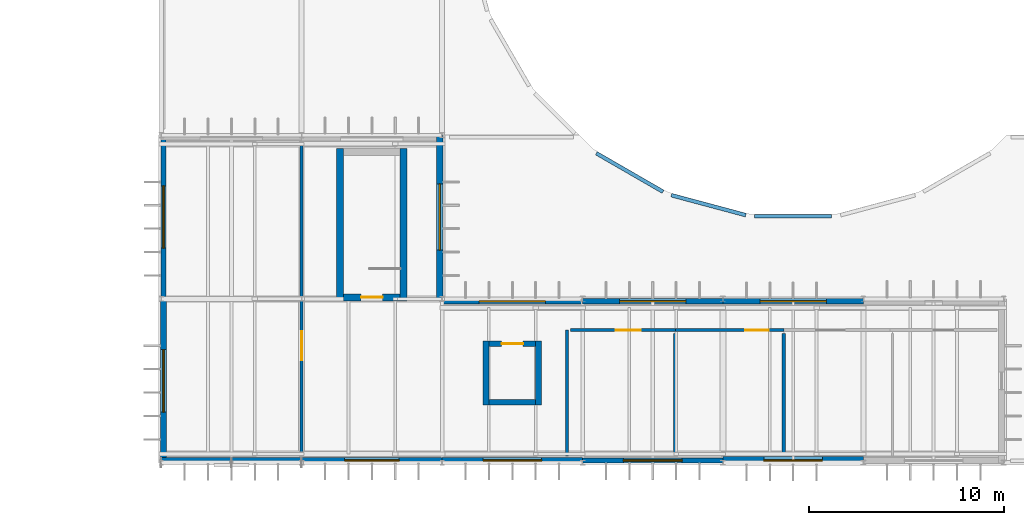
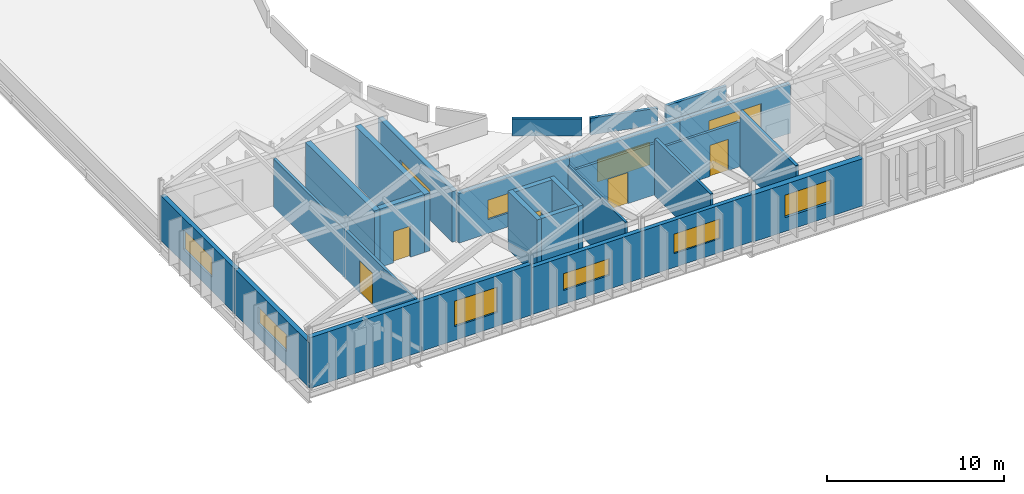
# One storey, part 39 of 52: 27 walls, 10 windows, 5 doors, 15 openings.
"""IFC4 building model written with IfcOpenShell, lengths in metres."""

import ifcopenshell
import ifcopenshell.guid

model = None  # the IFC model being written
_history = None  # IfcOwnerHistory: only IFC2X3 demands one
_inside = {}  # id of a spatial element -> (the spatial element, [elements in it])
_under = {}  # id of a project, library or spatial element -> (it, [spatial elements below it])
_declared = {}  # id of a project -> (the project, [libraries it declares])
_typed = {}  # id of a type object -> (the type object, [elements of that type])
_made_of = {}  # id of a material, layer set ... -> (it, [elements and type objects made of it])


def new_model(schema):
    """Start an empty IFC model of exactly this schema.

    Asked for "IFC4X3", IfcOpenShell would pick the latest addendum, in which some entities
    have other attributes; the version numbers below select the first issue.
    IFC2X3 requires an IfcOwnerHistory on every rooted entity: one is made here for all.
    """
    global model, _history
    if schema == "IFC4X3":
        model = ifcopenshell.file(schema_version=(4, 3, 0, 0))
    else:
        model = ifcopenshell.file(schema=schema)
    _inside.clear()
    _under.clear()
    _declared.clear()
    _typed.clear()
    _made_of.clear()
    _history = None
    if model.schema == "IFC2X3":
        org = make("IfcOrganization", Name="unknown")
        user = make(
            "IfcPersonAndOrganization",
            ThePerson=make("IfcPerson", FamilyName="unknown"),
            TheOrganization=org,
        )
        app = make(
            "IfcApplication",
            ApplicationDeveloper=org,
            Version="unknown",
            ApplicationFullName="unknown",
            ApplicationIdentifier="unknown",
        )
        _history = make(
            "IfcOwnerHistory",
            OwningUser=user,
            OwningApplication=app,
            ChangeAction="ADDED",
            CreationDate=0,
        )
    return model


def make(cls, **values):
    """One entity of the class cls with the attributes given. An attribute that is None is left unset."""
    return model.create_entity(
        cls, **{name: value for name, value in values.items() if value is not None}
    )


def rooted(cls, **values):
    """An entity with a GlobalId (a new one), such as an element, a storey or a relation."""
    return make(cls, GlobalId=ifcopenshell.guid.new(), OwnerHistory=_history, **values)


def si_unit(unit_type, name, prefix=None):
    """IfcSIUnit, for example si_unit("LENGTHUNIT", "METRE", prefix="MILLI")."""
    return make("IfcSIUnit", UnitType=unit_type, Prefix=prefix, Name=name)


def assignment(units):
    """IfcUnitAssignment: the units of a project."""
    return None if units is None else make("IfcUnitAssignment", Units=units)


def point(xyz):
    """IfcCartesianPoint."""
    return None if xyz is None else make("IfcCartesianPoint", Coordinates=xyz)


def direction(xyz):
    """IfcDirection."""
    return None if xyz is None else make("IfcDirection", DirectionRatios=xyz)


def frame(location, z_axis=None, x_axis=None):
    """IfcAxis2Placement3D, a coordinate frame: its origin and axes. An axis left out is left unset."""
    return make(
        "IfcAxis2Placement3D",
        Location=point(location),
        Axis=direction(z_axis),
        RefDirection=direction(x_axis),
    )


def frame_2d(location, x_axis=None):
    """IfcAxis2Placement2D, a coordinate frame in the plane: its origin and x axis."""
    return make(
        "IfcAxis2Placement2D", Location=point(location), RefDirection=direction(x_axis)
    )


def origin():
    """The frame at (0, 0, 0) with its axes left unset."""
    return frame((0.0, 0.0, 0.0))


def place(relative_to, where):
    """IfcLocalPlacement: puts the frame where relative to a parent placement (None: the world)."""
    return make(
        "IfcLocalPlacement", PlacementRelTo=relative_to, RelativePlacement=where
    )


def context(
    kind, dimensions, precision=None, world=None, true_north=None, identifier=None
):
    """IfcGeometricRepresentationContext, for example the 3D "Model" context."""
    return make(
        "IfcGeometricRepresentationContext",
        ContextIdentifier=identifier,
        ContextType=kind,
        CoordinateSpaceDimension=dimensions,
        Precision=precision,
        WorldCoordinateSystem=world,
        TrueNorth=true_north,
    )


def subcontext(parent, identifier, kind, view, scale=None):
    """IfcGeometricRepresentationSubContext, for example "Body" below "Model"."""
    return make(
        "IfcGeometricRepresentationSubContext",
        ContextIdentifier=identifier,
        ContextType=kind,
        ParentContext=parent,
        TargetScale=scale,
        TargetView=view,
    )


def project(units=None, contexts=None):
    """IfcProject with its units and contexts."""
    return rooted(
        "IfcProject",
        Name="project",
        RepresentationContexts=contexts,
        UnitsInContext=assignment(units),
    )


def spatial(cls, under=None, at=None, **own):
    """A site, building, storey or space (cls), placed at a placement, below another one or the project."""
    s = rooted(cls, ObjectPlacement=at, **own)
    if under is not None:
        _under.setdefault(under.id(), (under, []))[1].append(s)
    return s


def profile(cls, at=None, kind="AREA", **sizes):
    """A parametric profile (cls). Its sizes go by their IFC names, for example OverallWidth=200.0."""
    return make(cls, ProfileType=kind, Position=at, **sizes)


def rectangle(**sizes):
    """IfcRectangleProfileDef."""
    return profile("IfcRectangleProfileDef", **sizes)


def extrude(swept, where, along, depth):
    """IfcExtrudedAreaSolid: the profile swept, set in the frame where, extruded along a direction by depth."""
    return make(
        "IfcExtrudedAreaSolid",
        SweptArea=swept,
        Position=where,
        ExtrudedDirection=direction(along),
        Depth=depth,
    )


def shape(context_of_items, identifier, shape_type, items):
    """IfcShapeRepresentation: the items that make up one representation, for example the "Body"."""
    return make(
        "IfcShapeRepresentation",
        ContextOfItems=context_of_items,
        RepresentationIdentifier=identifier,
        RepresentationType=shape_type,
        Items=items,
    )


def material(Name=None, Category=None):
    """IfcMaterial."""
    return make("IfcMaterial", Name=Name, Category=Category)


def layer(
    of_material, thickness, ventilated=None, Name=None, Category=None, Priority=None
):
    """IfcMaterialLayer: one layer of a wall or slab, of a material (None: an air gap)."""
    return make(
        "IfcMaterialLayer",
        Material=of_material,
        LayerThickness=thickness,
        IsVentilated=ventilated,
        Name=Name,
        Category=Category,
        Priority=Priority,
    )


def layer_set(layers, Name=None):
    """IfcMaterialLayerSet."""
    return make("IfcMaterialLayerSet", MaterialLayers=layers, LayerSetName=Name)


def made_of(thing, what):
    """Note that an element or type object is made of a material, layer set ...; save() writes the relation."""
    if what is not None:
        _made_of.setdefault(what.id(), (what, []))[1].append(thing)
    return thing


def type_object(cls, material=None, **own):
    """A type object (cls), such as IfcWallType, which elements share."""
    return made_of(rooted(cls, **own), material)


def element(
    cls,
    number,
    at=None,
    inside=None,
    cuts=None,
    type_object=None,
    material=None,
    context=None,
    identifier="Body",
    shape_type=None,
    held_by="IfcProductDefinitionShape",
    body=None,
    shapes=None,
    **own,
):
    """One element of the class cls, such as IfcWall. Its Tag is "e" and its number.

    at: its placement. inside: the storey or other place that contains it. cuts: it is an
    opening in that element (IfcRelVoidsElement). A single representation is given by context,
    identifier, shape_type and body (its items); several are given by shapes. held_by: the class
    of the entity that holds the representations. save() writes the other relations.
    """
    e = rooted(cls, Tag="e%d" % number, ObjectPlacement=at, **own)
    if body is not None:
        shapes = [shape(context, identifier, shape_type, body)]
    if shapes is not None:
        e.Representation = make(held_by, Representations=shapes)
    if inside is not None:
        _inside.setdefault(inside.id(), (inside, []))[1].append(e)
    if cuts is not None:
        rooted(
            "IfcRelVoidsElement", RelatingBuildingElement=cuts, RelatedOpeningElement=e
        )
    if type_object is not None:
        _typed.setdefault(type_object.id(), (type_object, []))[1].append(e)
    return made_of(e, material)


def fill(opening, filler):
    """IfcRelFillsElement: the door or window that sits in an opening."""
    return rooted(
        "IfcRelFillsElement",
        RelatingOpeningElement=opening,
        RelatedBuildingElement=filler,
    )


def aggregate(whole, parts):
    """IfcRelAggregates: a whole, such as a stair, and the parts it consists of."""
    return rooted("IfcRelAggregates", RelatingObject=whole, RelatedObjects=parts)


def save(model, path):
    """Write the relations noted so far, then the file.

    IfcRelAggregates (storeys below a building ...), IfcRelContainedInSpatialStructure (elements
    in a storey), IfcRelDefinesByType, IfcRelAssociatesMaterial and IfcRelDeclares: one each for
    every whole, place, type object, material and project.
    """
    for whole, parts in _under.values():
        aggregate(whole, parts)
    for where, things in _inside.values():
        rooted(
            "IfcRelContainedInSpatialStructure",
            RelatedElements=things,
            RelatingStructure=where,
        )
    for kind, things in _typed.values():
        rooted("IfcRelDefinesByType", RelatedObjects=things, RelatingType=kind)
    for what, things in _made_of.values():
        rooted("IfcRelAssociatesMaterial", RelatedObjects=things, RelatingMaterial=what)
    for by, libraries in _declared.values():
        rooted("IfcRelDeclares", RelatingContext=by, RelatedDefinitions=libraries)
    model.write(path)


model = new_model("IFC4")

# Units and contexts
model_context = context("Model", 3, precision=1e-05, world=origin(), true_north=direction((0.0, 1.0)))
body_context = subcontext(model_context, "Body", "Model", "MODEL_VIEW")
ifc_project = project(units=[si_unit("LENGTHUNIT", "METRE"), si_unit("AREAUNIT", "SQUARE_METRE"), si_unit("VOLUMEUNIT", "CUBIC_METRE"), si_unit("PLANEANGLEUNIT", "RADIAN"), si_unit("MASSUNIT", "GRAM", prefix="KILO")], contexts=[model_context])

# Site, building, storey
site_placement = place(None, origin())
site = spatial("IfcSite", under=ifc_project, at=site_placement, CompositionType="ELEMENT")
building_placement = place(site_placement, origin())
building = spatial("IfcBuilding", under=site, at=building_placement, Name="Qelthora Terrace Specialist Clinic", CompositionType="ELEMENT")
storey_placement = place(building_placement, frame((0.0, 0.0, 17.39990234375)))
storey = spatial("IfcBuildingStorey", under=building, at=storey_placement, Name="L04", CompositionType="ELEMENT", Elevation=17.39990234375)

# Walls
ifc_material_1 = material(Name="Concrete C40/50", Category="concrete")
ifc_layer_1 = layer(ifc_material_1, 0.300048828125)
ifc_layer_set_1 = layer_set([ifc_layer_1], Name="Concrete C40/50")
wall_type_1 = type_object("IfcWallType", Name="WAL-CORE-300-C40", PredefinedType="SHEAR", material=ifc_layer_set_1)
for number, where, z_axis, x_axis, name in (
    (1, (110.25, 36.550048828125, 0.0), (0.0, 0.0, 1.0), (0.0, 1.0, 0.0), "Lift PL-01 L04 west shaft wall"),
    (2, (112.949951171875, 36.550048828125, 0.0), (0.0, 0.0, 1.0), (0.0, 1.0, 0.0), "Lift PL-01 L04 east shaft wall"),
):
    element("IfcWall", number, at=place(storey_placement, frame(where, z_axis=z_axis, x_axis=x_axis)), inside=storey, type_object=wall_type_1, Name=name, PredefinedType="SHEAR", context=body_context, shape_type="SweptSolid", body=[
        extrude(rectangle(XDim=3.300048828125, YDim=0.300048828125, at=frame_2d((1.64990234375, 0.0))), origin(), (0.0, 0.0, 1.0), 4.0),
    ])

# Wall, opening, door
wall_1_placement = place(storey_placement, frame((110.39990234375, 39.699951171875, 0.0), z_axis=(0.0, 0.0, 1.0), x_axis=(1.0, 0.0, 0.0)))
wall_1 = element("IfcWall", 3, at=wall_1_placement, inside=storey, type_object=wall_type_1, Name="Lift PL-01 L04 north shaft wall", PredefinedType="SHEAR", context=body_context, shape_type="SweptSolid", body=[
    extrude(rectangle(XDim=2.400146484375, YDim=0.300048828125, at=frame_2d((1.2001953125, 0.0))), origin(), (0.0, 0.0, 1.0), 4.0),
])
opening_1_placement = place(wall_1_placement, frame((0.64990234375, 0.0, 0.0)))
opening_1 = element("IfcOpeningElement", 4, at=opening_1_placement, cuts=wall_1, Name="Opening LD-PL-01-L04", PredefinedType="OPENING", context=body_context, shape_type="SweptSolid", body=[
    extrude(rectangle(XDim=1.10009765625, YDim=2.14990234375, at=frame_2d((0.550048828125, 1.074951171875))), frame((0.0, 0.159912109375, 0.0), z_axis=(0.0, -1.0, 0.0), x_axis=(1.0, 0.0, 0.0)), (0.0, 0.0, 1.0), 0.320068359375),
])
ifc_material_2 = material(Name="Steel S355", Category="steel")
door_type_1 = type_object("IfcDoorType", Name="DOR-LIFT-1100X2150", OperationType="NOTDEFINED", PredefinedType="DOOR", material=ifc_material_2)
door_1_placement = place(opening_1_placement, origin())
door_1 = element("IfcDoor", 5, at=door_1_placement, inside=storey, type_object=door_type_1, Name="Lift landing sliding door LD-PL-01-L04", OperationType="DOUBLE_DOOR_SLIDING", OverallHeight=2.14990234375, OverallWidth=1.10009765625, PredefinedType="DOOR", context=body_context, shape_type="SweptSolid", body=[
    extrude(rectangle(XDim=1.10009765625, YDim=2.14990234375, at=frame_2d((0.550048828125, 1.074951171875))), frame((0.0, 0.02490234375, 0.0), z_axis=(0.0, -1.0, 0.0), x_axis=(1.0, 0.0, 0.0)), (0.0, 0.0, 1.0), 0.050048828125),
])
fill(opening_1, door_1)

# Walls
wall_2_placement = place(storey_placement, frame((110.39990234375, 36.699951171875, 0.0), z_axis=(0.0, 0.0, 1.0), x_axis=(1.0, 0.0, 0.0)))
element("IfcWall", 6, at=wall_2_placement, inside=storey, type_object=wall_type_1, Name="Lift PL-01 L04 south shaft wall", PredefinedType="SHEAR", context=body_context, shape_type="SweptSolid", body=[
    extrude(rectangle(XDim=2.400146484375, YDim=0.300048828125, at=frame_2d((1.2001953125, 0.0))), origin(), (0.0, 0.0, 1.0), 4.0),
])
ifc_layer_2 = layer(ifc_material_1, 0.35009765625)
ifc_layer_set_2 = layer_set([ifc_layer_2], Name="Concrete C40/50")
wall_type_2 = type_object("IfcWallType", Name="WAL-CORE-350-C40", PredefinedType="SHEAR", material=ifc_layer_set_2)
for number, where, z_axis, x_axis, name in (
    (7, (102.77490234375, 41.89990234375, 0.0), (0.0, 0.0, 1.0), (0.0, 1.0, 0.0), "ST-05 L04 west shear core wall"),
    (8, (106.02490234375, 41.89990234375, 0.0), (0.0, 0.0, 1.0), (0.0, 1.0, 0.0), "ST-05 L04 east shear core wall"),
):
    element("IfcWall", number, at=place(storey_placement, frame(where, z_axis=z_axis, x_axis=x_axis)), inside=storey, type_object=wall_type_2, Name=name, PredefinedType="SHEAR", context=body_context, shape_type="SweptSolid", body=[
        extrude(rectangle(XDim=7.800048828125, YDim=0.35009765625, at=frame_2d((3.89990234375, 0.0))), origin(), (0.0, 0.0, 1.0), 4.0),
    ])

# Wall, opening, door
wall_3_placement = place(storey_placement, frame((102.949951171875, 42.074951171875, 0.0), z_axis=(0.0, 0.0, 1.0), x_axis=(1.0, 0.0, 0.0)))
wall_3 = element("IfcWall", 9, at=wall_3_placement, inside=storey, type_object=wall_type_2, Name="ST-05 L04 south shear core wall", PredefinedType="SHEAR", context=body_context, shape_type="SweptSolid", body=[
    extrude(rectangle(XDim=2.900146484375, YDim=0.35009765625, at=frame_2d((1.4501953125, 0.0))), origin(), (0.0, 0.0, 1.0), 4.0),
])
opening_2_placement = place(wall_3_placement, frame((0.89990234375, 0.0, 0.0)))
opening_2 = element("IfcOpeningElement", 10, at=opening_2_placement, cuts=wall_3, Name="Opening D-ST-05-L04", PredefinedType="OPENING", context=body_context, shape_type="SweptSolid", body=[
    extrude(rectangle(XDim=1.10009765625, YDim=2.14990234375, at=frame_2d((0.550048828125, 1.074951171875))), frame((0.0, 0.18505859375, 0.0), z_axis=(0.0, -1.0, 0.0), x_axis=(1.0, 0.0, 0.0)), (0.0, 0.0, 1.0), 0.3701171875),
])
door_type_2 = type_object("IfcDoorType", Name="DOR-STAIR-1100X2150", OperationType="NOTDEFINED", PredefinedType="DOOR", material=ifc_material_2)
door_2_placement = place(opening_2_placement, origin())
door_2 = element("IfcDoor", 11, at=door_2_placement, inside=storey, type_object=door_type_2, Name="Stair fire door D-ST-05-L04", OperationType="SINGLE_SWING_RIGHT", OverallHeight=2.14990234375, OverallWidth=1.10009765625, PredefinedType="DOOR", context=body_context, shape_type="SweptSolid", body=[
    extrude(rectangle(XDim=1.10009765625, YDim=2.14990234375, at=frame_2d((0.550048828125, 1.074951171875))), frame((0.0, 0.02490234375, 0.0), z_axis=(0.0, -1.0, 0.0), x_axis=(1.0, 0.0, 0.0)), (0.0, 0.0, 1.0), 0.050048828125),
])
fill(opening_2, door_2)

# Wall, opening, window
ifc_material_3 = material(Name="Precast concrete C40/50", Category="concrete")
ifc_layer_3 = layer(ifc_material_3, 0.260009765625)
ifc_layer_set_3 = layer_set([ifc_layer_3], Name="Precast concrete C40/50")
wall_type_3 = type_object("IfcWallType", Name="WAL-EXT-260-PC40", PredefinedType="SOLIDWALL", material=ifc_layer_set_3)
wall_4_placement = place(storey_placement, frame((115.199951171875, 33.719970703125, 0.0), z_axis=(0.0, 0.0, 1.0), x_axis=(1.0, 0.0, 0.0)))
wall_4 = element("IfcWall", 12, at=wall_4_placement, inside=storey, type_object=wall_type_3, Name="L04 external precast wall 349", PredefinedType="SOLIDWALL", context=body_context, shape_type="SweptSolid", body=[
    extrude(rectangle(XDim=7.199951171875, YDim=0.260009765625, at=frame_2d((3.60009765625, 0.0))), origin(), (0.0, 0.0, 1.0), 3.2490234375),
])
opening_3_placement = place(wall_4_placement, frame((2.10009765625, 0.0, 0.949951171875)))
opening_3 = element("IfcOpeningElement", 13, at=opening_3_placement, cuts=wall_4, Name="Opening WN-L04-306", PredefinedType="OPENING", context=body_context, shape_type="SweptSolid", body=[
    extrude(rectangle(XDim=3.0, YDim=1.35009765625, at=frame_2d((1.5, 0.675048828125))), frame((0.0, 0.139892578125, 0.0), z_axis=(0.0, -1.0, 0.0), x_axis=(1.0, 0.0, 0.0)), (0.0, 0.0, 1.0), 0.280029296875),
])
ifc_material_4 = material(Name="Low-E triple-silver insulating glass", Category="glass")
window_type_1 = type_object("IfcWindowType", Name="WIN-3000X1350", PartitioningType="DOUBLE_PANEL_VERTICAL", PredefinedType="WINDOW", material=ifc_material_4)
window_1_placement = place(opening_3_placement, origin())
window_1 = element("IfcWindow", 14, at=window_1_placement, inside=storey, type_object=window_type_1, Name="Clinical window WN-L04-306", OverallHeight=1.35009765625, OverallWidth=3.0, PartitioningType="SINGLE_PANEL", PredefinedType="WINDOW", context=body_context, shape_type="SweptSolid", body=[
    extrude(rectangle(XDim=3.0, YDim=1.35009765625, at=frame_2d((1.5, 0.675048828125))), frame((0.0, 0.030029296875, 0.0), z_axis=(0.0, -1.0, 0.0), x_axis=(1.0, 0.0, 0.0)), (0.0, 0.0, 1.0), 0.06005859375),
])
fill(opening_3, window_1)

wall_5_placement = place(storey_placement, frame((122.39990234375, 41.8798828125, 0.0), z_axis=(0.0, 0.0, 1.0), x_axis=(1.0, 0.0, 0.0)))
wall_5 = element("IfcWall", 15, at=wall_5_placement, inside=storey, type_object=wall_type_3, Name="L04 external precast wall 359", PredefinedType="SOLIDWALL", context=body_context, shape_type="SweptSolid", body=[
    extrude(rectangle(XDim=7.2001953125, YDim=0.260009765625, at=frame_2d((3.60009765625, 0.0))), origin(), (0.0, 0.0, 1.0), 3.405029296875),
])
opening_4_placement = place(wall_5_placement, frame((1.89990234375, 0.0, 0.949951171875)))
opening_4 = element("IfcOpeningElement", 16, at=opening_4_placement, cuts=wall_5, Name="Opening WN-L04-316", PredefinedType="OPENING", context=body_context, shape_type="SweptSolid", body=[
    extrude(rectangle(XDim=3.39990234375, YDim=1.75, at=frame_2d((1.699951171875, 0.875))), frame((0.0, 0.139892578125, 0.0), z_axis=(0.0, -1.0, 0.0), x_axis=(1.0, 0.0, 0.0)), (0.0, 0.0, 1.0), 0.280029296875),
])
window_type_2 = type_object("IfcWindowType", Name="WIN-3400X1750", PartitioningType="DOUBLE_PANEL_VERTICAL", PredefinedType="WINDOW", material=ifc_material_4)
window_2_placement = place(opening_4_placement, origin())
window_2 = element("IfcWindow", 17, at=window_2_placement, inside=storey, type_object=window_type_2, Name="Clinical window WN-L04-316", OverallHeight=1.75, OverallWidth=3.39990234375, PartitioningType="SINGLE_PANEL", PredefinedType="WINDOW", context=body_context, shape_type="SweptSolid", body=[
    extrude(rectangle(XDim=3.39990234375, YDim=1.75, at=frame_2d((1.699951171875, 0.875))), frame((0.0, 0.030029296875, 0.0), z_axis=(0.0, -1.0, 0.0), x_axis=(1.0, 0.0, 0.0)), (0.0, 0.0, 1.0), 0.06005859375),
])
fill(opening_4, window_2)

ifc_layer_4 = layer(ifc_material_3, 0.280029296875)
ifc_layer_set_4 = layer_set([ifc_layer_4], Name="Precast concrete C40/50")
wall_type_4 = type_object("IfcWallType", Name="WAL-EXT-280-PC40", PredefinedType="SOLIDWALL", material=ifc_layer_set_4)
wall_6_placement = place(storey_placement, frame((108.0, 33.719970703125, 0.0), z_axis=(0.0, 0.0, 1.0), x_axis=(1.0, 0.0, 0.0)))
wall_6 = element("IfcWall", 18, at=wall_6_placement, inside=storey, type_object=wall_type_4, Name="L04 external precast wall 348", PredefinedType="SOLIDWALL", context=body_context, shape_type="SweptSolid", body=[
    extrude(rectangle(XDim=7.199951171875, YDim=0.280029296875, at=frame_2d((3.60009765625, 0.0))), origin(), (0.0, 0.0, 1.0), 3.2490234375),
])
opening_5_placement = place(wall_6_placement, frame((2.10009765625, 0.0, 0.949951171875)))
opening_5 = element("IfcOpeningElement", 19, at=opening_5_placement, cuts=wall_6, Name="Opening WN-L04-305", PredefinedType="OPENING", context=body_context, shape_type="SweptSolid", body=[
    extrude(rectangle(XDim=3.0, YDim=1.14990234375, at=frame_2d((1.5, 0.574951171875))), frame((0.0, 0.14990234375, 0.0), z_axis=(0.0, -1.0, 0.0), x_axis=(1.0, 0.0, 0.0)), (0.0, 0.0, 1.0), 0.300048828125),
])
window_type_3 = type_object("IfcWindowType", Name="WIN-3000X1150", PartitioningType="DOUBLE_PANEL_VERTICAL", PredefinedType="WINDOW", material=ifc_material_4)
window_3_placement = place(opening_5_placement, origin())
window_3 = element("IfcWindow", 20, at=window_3_placement, inside=storey, type_object=window_type_3, Name="Clinical window WN-L04-305", OverallHeight=1.14990234375, OverallWidth=3.0, PartitioningType="SINGLE_PANEL", PredefinedType="WINDOW", context=body_context, shape_type="SweptSolid", body=[
    extrude(rectangle(XDim=3.0, YDim=1.14990234375, at=frame_2d((1.5, 0.574951171875))), frame((0.0, 0.030029296875, 0.0), z_axis=(0.0, -1.0, 0.0), x_axis=(1.0, 0.0, 0.0)), (0.0, 0.0, 1.0), 0.06005859375),
])
fill(opening_5, window_3)

wall_7_placement = place(storey_placement, frame((93.719970703125, 42.0, 0.0), z_axis=(0.0, 0.0, 1.0), x_axis=(0.0, 1.0, 0.0)))
wall_7 = element("IfcWall", 21, at=wall_7_placement, inside=storey, type_object=wall_type_4, Name="L04 external precast wall 353", PredefinedType="SOLIDWALL", context=body_context, shape_type="SweptSolid", body=[
    extrude(rectangle(XDim=8.39990234375, YDim=0.280029296875, at=frame_2d((4.199951171875, 0.0))), origin(), (0.0, 0.0, 1.0), 3.091064453125),
])
opening_6_placement = place(wall_7_placement, frame((2.60009765625, 0.0, 0.949951171875)))
opening_6 = element("IfcOpeningElement", 22, at=opening_6_placement, cuts=wall_7, Name="Opening WN-L04-310", PredefinedType="OPENING", context=body_context, shape_type="SweptSolid", body=[
    extrude(rectangle(XDim=3.199951171875, YDim=1.35009765625, at=frame_2d((1.60009765625, 0.675048828125))), frame((0.0, 0.14990234375, 0.0), z_axis=(0.0, -1.0, 0.0), x_axis=(1.0, 0.0, 0.0)), (0.0, 0.0, 1.0), 0.300048828125),
])
window_type_4 = type_object("IfcWindowType", Name="WIN-3200X1350", PartitioningType="DOUBLE_PANEL_VERTICAL", PredefinedType="WINDOW", material=ifc_material_4)
window_4_placement = place(opening_6_placement, origin())
window_4 = element("IfcWindow", 23, at=window_4_placement, inside=storey, type_object=window_type_4, Name="Clinical window WN-L04-310", OverallHeight=1.35009765625, OverallWidth=3.199951171875, PartitioningType="SINGLE_PANEL", PredefinedType="WINDOW", context=body_context, shape_type="SweptSolid", body=[
    extrude(rectangle(XDim=3.199951171875, YDim=1.35009765625, at=frame_2d((1.60009765625, 0.675048828125))), frame((0.0, 0.030029296875, 0.0), z_axis=(0.0, -1.0, 0.0), x_axis=(1.0, 0.0, 0.0)), (0.0, 0.0, 1.0), 0.06005859375),
])
fill(opening_6, window_4)

wall_8_placement = place(storey_placement, frame((115.199951171875, 41.8798828125, 0.0), z_axis=(0.0, 0.0, 1.0), x_axis=(1.0, 0.0, 0.0)))
wall_8 = element("IfcWall", 24, at=wall_8_placement, inside=storey, type_object=wall_type_4, Name="L04 external precast wall 358", PredefinedType="SOLIDWALL", context=body_context, shape_type="SweptSolid", body=[
    extrude(rectangle(XDim=7.199951171875, YDim=0.280029296875, at=frame_2d((3.60009765625, 0.0))), origin(), (0.0, 0.0, 1.0), 3.398193359375),
])
opening_7_placement = place(wall_8_placement, frame((1.89990234375, 0.0, 0.949951171875)))
opening_7 = element("IfcOpeningElement", 25, at=opening_7_placement, cuts=wall_8, Name="Opening WN-L04-315", PredefinedType="OPENING", context=body_context, shape_type="SweptSolid", body=[
    extrude(rectangle(XDim=3.39990234375, YDim=1.550048828125, at=frame_2d((1.699951171875, 0.77490234375))), frame((0.0, 0.14990234375, 0.0), z_axis=(0.0, -1.0, 0.0), x_axis=(1.0, 0.0, 0.0)), (0.0, 0.0, 1.0), 0.300048828125),
])
window_type_5 = type_object("IfcWindowType", Name="WIN-3400X1550", PartitioningType="DOUBLE_PANEL_VERTICAL", PredefinedType="WINDOW", material=ifc_material_4)
window_5_placement = place(opening_7_placement, origin())
window_5 = element("IfcWindow", 26, at=window_5_placement, inside=storey, type_object=window_type_5, Name="Clinical window WN-L04-315", OverallHeight=1.550048828125, OverallWidth=3.39990234375, PartitioningType="SINGLE_PANEL", PredefinedType="WINDOW", context=body_context, shape_type="SweptSolid", body=[
    extrude(rectangle(XDim=3.39990234375, YDim=1.550048828125, at=frame_2d((1.699951171875, 0.77490234375))), frame((0.0, 0.030029296875, 0.0), z_axis=(0.0, -1.0, 0.0), x_axis=(1.0, 0.0, 0.0)), (0.0, 0.0, 1.0), 0.06005859375),
])
fill(opening_7, window_5)

ifc_layer_5 = layer(ifc_material_3, 0.300048828125)
ifc_layer_set_5 = layer_set([ifc_layer_5], Name="Precast concrete C40/50")
wall_type_5 = type_object("IfcWallType", Name="WAL-EXT-300-PC40", PredefinedType="SOLIDWALL", material=ifc_layer_set_5)
wall_9_placement = place(storey_placement, frame((100.800048828125, 33.719970703125, 0.0), z_axis=(0.0, 0.0, 1.0), x_axis=(1.0, 0.0, 0.0)))
wall_9 = element("IfcWall", 27, at=wall_9_placement, inside=storey, type_object=wall_type_5, Name="L04 external precast wall 347", PredefinedType="SOLIDWALL", context=body_context, shape_type="SweptSolid", body=[
    extrude(rectangle(XDim=7.199951171875, YDim=0.300048828125, at=frame_2d((3.60009765625, 0.0))), origin(), (0.0, 0.0, 1.0), 3.482177734375),
])
opening_8_placement = place(wall_9_placement, frame((2.199951171875, 0.0, 0.949951171875)))
opening_8 = element("IfcOpeningElement", 28, at=opening_8_placement, cuts=wall_9, Name="Opening WN-L04-304", PredefinedType="OPENING", context=body_context, shape_type="SweptSolid", body=[
    extrude(rectangle(XDim=2.800048828125, YDim=1.75, at=frame_2d((1.39990234375, 0.875))), frame((0.0, 0.159912109375, 0.0), z_axis=(0.0, -1.0, 0.0), x_axis=(1.0, 0.0, 0.0)), (0.0, 0.0, 1.0), 0.320068359375),
])
window_type_6 = type_object("IfcWindowType", Name="WIN-2800X1750", PartitioningType="DOUBLE_PANEL_VERTICAL", PredefinedType="WINDOW", material=ifc_material_4)
window_6_placement = place(opening_8_placement, origin())
window_6 = element("IfcWindow", 29, at=window_6_placement, inside=storey, type_object=window_type_6, Name="Clinical window WN-L04-304", OverallHeight=1.75, OverallWidth=2.800048828125, PartitioningType="SINGLE_PANEL", PredefinedType="WINDOW", context=body_context, shape_type="SweptSolid", body=[
    extrude(rectangle(XDim=2.800048828125, YDim=1.75, at=frame_2d((1.39990234375, 0.875))), frame((0.0, 0.030029296875, 0.0), z_axis=(0.0, -1.0, 0.0), x_axis=(1.0, 0.0, 0.0)), (0.0, 0.0, 1.0), 0.06005859375),
])
fill(opening_8, window_6)

wall_10_placement = place(storey_placement, frame((93.719970703125, 33.60009765625, 0.0), z_axis=(0.0, 0.0, 1.0), x_axis=(0.0, 1.0, 0.0)))
wall_10 = element("IfcWall", 30, at=wall_10_placement, inside=storey, type_object=wall_type_5, Name="L04 external precast wall 352", PredefinedType="SOLIDWALL", context=body_context, shape_type="SweptSolid", body=[
    extrude(rectangle(XDim=8.39990234375, YDim=0.300048828125, at=frame_2d((4.199951171875, 0.0))), origin(), (0.0, 0.0, 1.0), 3.091064453125),
])
opening_9_placement = place(wall_10_placement, frame((2.60009765625, 0.0, 0.949951171875)))
opening_9 = element("IfcOpeningElement", 31, at=opening_9_placement, cuts=wall_10, Name="Opening WN-L04-309", PredefinedType="OPENING", context=body_context, shape_type="SweptSolid", body=[
    extrude(rectangle(XDim=3.199951171875, YDim=1.14990234375, at=frame_2d((1.60009765625, 0.574951171875))), frame((0.0, 0.159912109375, 0.0), z_axis=(0.0, -1.0, 0.0), x_axis=(1.0, 0.0, 0.0)), (0.0, 0.0, 1.0), 0.320068359375),
])
window_type_7 = type_object("IfcWindowType", Name="WIN-3200X1150", PartitioningType="DOUBLE_PANEL_VERTICAL", PredefinedType="WINDOW", material=ifc_material_4)
window_7_placement = place(opening_9_placement, origin())
window_7 = element("IfcWindow", 32, at=window_7_placement, inside=storey, type_object=window_type_7, Name="Clinical window WN-L04-309", OverallHeight=1.14990234375, OverallWidth=3.199951171875, PartitioningType="SINGLE_PANEL", PredefinedType="WINDOW", context=body_context, shape_type="SweptSolid", body=[
    extrude(rectangle(XDim=3.199951171875, YDim=1.14990234375, at=frame_2d((1.60009765625, 0.574951171875))), frame((0.0, 0.030029296875, 0.0), z_axis=(0.0, -1.0, 0.0), x_axis=(1.0, 0.0, 0.0)), (0.0, 0.0, 1.0), 0.06005859375),
])
fill(opening_9, window_7)

wall_11_placement = place(storey_placement, frame((108.0, 41.8798828125, 0.0), z_axis=(0.0, 0.0, 1.0), x_axis=(1.0, 0.0, 0.0)))
wall_11 = element("IfcWall", 33, at=wall_11_placement, inside=storey, type_object=wall_type_5, Name="L04 external precast wall 357", PredefinedType="SOLIDWALL", context=body_context, shape_type="SweptSolid", body=[
    extrude(rectangle(XDim=7.199951171875, YDim=0.300048828125, at=frame_2d((3.60009765625, 0.0))), origin(), (0.0, 0.0, 1.0), 3.398193359375),
])
opening_10_placement = place(wall_11_placement, frame((1.89990234375, 0.0, 0.949951171875)))
opening_10 = element("IfcOpeningElement", 34, at=opening_10_placement, cuts=wall_11, Name="Opening WN-L04-314", PredefinedType="OPENING", context=body_context, shape_type="SweptSolid", body=[
    extrude(rectangle(XDim=3.39990234375, YDim=1.35009765625, at=frame_2d((1.699951171875, 0.675048828125))), frame((0.0, 0.159912109375, 0.0), z_axis=(0.0, -1.0, 0.0), x_axis=(1.0, 0.0, 0.0)), (0.0, 0.0, 1.0), 0.320068359375),
])
window_type_8 = type_object("IfcWindowType", Name="WIN-3400X1350", PartitioningType="DOUBLE_PANEL_VERTICAL", PredefinedType="WINDOW", material=ifc_material_4)
window_8_placement = place(opening_10_placement, origin())
window_8 = element("IfcWindow", 35, at=window_8_placement, inside=storey, type_object=window_type_8, Name="Clinical window WN-L04-314", OverallHeight=1.35009765625, OverallWidth=3.39990234375, PartitioningType="SINGLE_PANEL", PredefinedType="WINDOW", context=body_context, shape_type="SweptSolid", body=[
    extrude(rectangle(XDim=3.39990234375, YDim=1.35009765625, at=frame_2d((1.699951171875, 0.675048828125))), frame((0.0, 0.030029296875, 0.0), z_axis=(0.0, -1.0, 0.0), x_axis=(1.0, 0.0, 0.0)), (0.0, 0.0, 1.0), 0.06005859375),
])
fill(opening_10, window_8)

# Wall
ifc_layer_6 = layer(ifc_material_3, 0.320068359375)
ifc_layer_set_6 = layer_set([ifc_layer_6], Name="Precast concrete C40/50")
wall_type_6 = type_object("IfcWallType", Name="WAL-EXT-320-PC40", PredefinedType="SOLIDWALL", material=ifc_layer_set_6)
wall_12_placement = place(storey_placement, frame((93.60009765625, 33.719970703125, 0.0), z_axis=(0.0, 0.0, 1.0), x_axis=(1.0, 0.0, 0.0)))
element("IfcWall", 36, at=wall_12_placement, inside=storey, type_object=wall_type_6, Name="L04 external precast wall 346", PredefinedType="SOLIDWALL", context=body_context, shape_type="SweptSolid", body=[
    extrude(rectangle(XDim=7.199951171875, YDim=0.320068359375, at=frame_2d((3.60009765625, 0.0))), origin(), (0.0, 0.0, 1.0), 3.482177734375),
])

# Wall, opening, window
wall_13_placement = place(storey_placement, frame((107.8798828125, 42.0, 0.0), z_axis=(0.0, 0.0, 1.0), x_axis=(0.0, 1.0, 0.0)))
wall_13 = element("IfcWall", 37, at=wall_13_placement, inside=storey, type_object=wall_type_6, Name="L04 external precast wall 356", PredefinedType="SOLIDWALL", context=body_context, shape_type="SweptSolid", body=[
    extrude(rectangle(XDim=8.39990234375, YDim=0.320068359375, at=frame_2d((4.199951171875, 0.0))), origin(), (0.0, 0.0, 1.0), 3.482177734375),
])
opening_11_placement = place(wall_13_placement, frame((2.5, 0.0, 0.949951171875)))
opening_11 = element("IfcOpeningElement", 38, at=opening_11_placement, cuts=wall_13, Name="Opening WN-L04-313", PredefinedType="OPENING", context=body_context, shape_type="SweptSolid", body=[
    extrude(rectangle(XDim=3.39990234375, YDim=1.14990234375, at=frame_2d((1.699951171875, 0.574951171875))), frame((0.0, 0.169921875, 0.0), z_axis=(0.0, -1.0, 0.0), x_axis=(1.0, 0.0, 0.0)), (0.0, 0.0, 1.0), 0.340087890625),
])
window_type_9 = type_object("IfcWindowType", Name="WIN-3400X1150", PartitioningType="DOUBLE_PANEL_VERTICAL", PredefinedType="WINDOW", material=ifc_material_4)
window_9_placement = place(opening_11_placement, origin())
window_9 = element("IfcWindow", 39, at=window_9_placement, inside=storey, type_object=window_type_9, Name="Clinical window WN-L04-313", OverallHeight=1.14990234375, OverallWidth=3.39990234375, PartitioningType="SINGLE_PANEL", PredefinedType="WINDOW", context=body_context, shape_type="SweptSolid", body=[
    extrude(rectangle(XDim=3.39990234375, YDim=1.14990234375, at=frame_2d((1.699951171875, 0.574951171875))), frame((0.0, 0.030029296875, 0.0), z_axis=(0.0, -1.0, 0.0), x_axis=(1.0, 0.0, 0.0)), (0.0, 0.0, 1.0), 0.06005859375),
])
fill(opening_11, window_9)

ifc_layer_7 = layer(ifc_material_3, 0.3798828125)
ifc_layer_set_7 = layer_set([ifc_layer_7], Name="Precast concrete C40/50")
wall_type_7 = type_object("IfcWallType", Name="WAL-EXT-380-PC40", PredefinedType="SOLIDWALL", material=ifc_layer_set_7)
wall_14_placement = place(storey_placement, frame((122.39990234375, 33.719970703125, 0.0), z_axis=(0.0, 0.0, 1.0), x_axis=(1.0, 0.0, 0.0)))
wall_14 = element("IfcWall", 40, at=wall_14_placement, inside=storey, type_object=wall_type_7, Name="L04 external precast wall 350", PredefinedType="SOLIDWALL", context=body_context, shape_type="SweptSolid", body=[
    extrude(rectangle(XDim=7.2001953125, YDim=0.3798828125, at=frame_2d((3.60009765625, 0.0))), origin(), (0.0, 0.0, 1.0), 3.2490234375),
])
opening_12_placement = place(wall_14_placement, frame((2.10009765625, 0.0, 0.949951171875)))
opening_12 = element("IfcOpeningElement", 41, at=opening_12_placement, cuts=wall_14, Name="Opening WN-L04-307", PredefinedType="OPENING", context=body_context, shape_type="SweptSolid", body=[
    extrude(rectangle(XDim=3.0, YDim=1.550048828125, at=frame_2d((1.5, 0.77490234375))), frame((0.0, 0.199951171875, 0.0), z_axis=(0.0, -1.0, 0.0), x_axis=(1.0, 0.0, 0.0)), (0.0, 0.0, 1.0), 0.39990234375),
])
window_type_10 = type_object("IfcWindowType", Name="WIN-3000X1550", PartitioningType="DOUBLE_PANEL_VERTICAL", PredefinedType="WINDOW", material=ifc_material_4)
window_10_placement = place(opening_12_placement, origin())
window_10 = element("IfcWindow", 42, at=window_10_placement, inside=storey, type_object=window_type_10, Name="Clinical window WN-L04-307", OverallHeight=1.550048828125, OverallWidth=3.0, PartitioningType="SINGLE_PANEL", PredefinedType="WINDOW", context=body_context, shape_type="SweptSolid", body=[
    extrude(rectangle(XDim=3.0, YDim=1.550048828125, at=frame_2d((1.5, 0.77490234375))), frame((0.0, 0.030029296875, 0.0), z_axis=(0.0, -1.0, 0.0), x_axis=(1.0, 0.0, 0.0)), (0.0, 0.0, 1.0), 0.06005859375),
])
fill(opening_12, window_10)

# Walls
ifc_material_5 = material(Name="Gypsum acoustic wallboard", Category="gypsum")
ifc_layer_8 = layer(ifc_material_5, 0.139892578125)
ifc_layer_set_8 = layer_set([ifc_layer_8], Name="Gypsum acoustic wallboard")
wall_type_8 = type_object("IfcWallType", Name="WAL-INT-ACU-140", PredefinedType="PARTITIONING", material=ifc_layer_set_8)
wall_15_placement = place(storey_placement, frame((114.39990234375, 33.93994140625, 0.0), z_axis=(0.0, 0.0, 1.0), x_axis=(0.0, 1.0, 0.0)))
element("IfcWall", 43, at=wall_15_placement, inside=storey, type_object=wall_type_8, Name="Interior clinical partition IWAL-L04-0359", PredefinedType="PARTITIONING", context=body_context, shape_type="SweptSolid", body=[
    extrude(rectangle(XDim=6.4599609375, YDim=0.139892578125, at=frame_2d((3.22998046875, 0.0))), origin(), (0.0, 0.0, 1.0), 3.945068359375),
])
ifc_material_6 = material(Name="Gypsum fire-rated wallboard", Category="gypsum")
ifc_layer_9 = layer(ifc_material_6, 0.179931640625)
ifc_layer_set_9 = layer_set([ifc_layer_9], Name="Gypsum fire-rated wallboard")
wall_type_9 = type_object("IfcWallType", Name="WAL-INT-CLN-180", PredefinedType="PARTITIONING", material=ifc_layer_set_9)
for number, where, z_axis, x_axis, name in (
    (44, (119.96240234375, 40.219970703125, 0.0), (0.0, 0.0, 1.0), (0.0, -1.0, 0.0), "Interior clinical partition IWAL-L04-0361"),
    (45, (125.52490234375, 40.219970703125, 0.0), (0.0, 0.0, 1.0), (0.0, -1.0, 0.0), "Interior clinical partition IWAL-L04-0363"),
):
    element("IfcWall", number, at=place(storey_placement, frame(where, z_axis=z_axis, x_axis=x_axis)), inside=storey, type_object=wall_type_9, Name=name, PredefinedType="PARTITIONING", context=body_context, shape_type="SweptSolid", body=[
        extrude(rectangle(XDim=6.280029296875, YDim=0.179931640625, at=frame_2d((3.14013671875, 0.0))), origin(), (0.0, 0.0, 1.0), 3.945068359375),
    ])

# Wall, opening, door
ifc_layer_10 = layer(ifc_material_6, 0.159912109375)
ifc_layer_set_10 = layer_set([ifc_layer_10], Name="Gypsum fire-rated wallboard")
wall_type_10 = type_object("IfcWallType", Name="WAL-INT-COR-160", PredefinedType="PARTITIONING", material=ifc_layer_set_10)
wall_16_placement = place(storey_placement, frame((114.580078125, 40.39990234375, 0.0), z_axis=(0.0, 0.0, 1.0), x_axis=(1.0, 0.0, 0.0)))
wall_16 = element("IfcWall", 46, at=wall_16_placement, inside=storey, type_object=wall_type_10, Name="Interior clinical partition IWAL-L04-0360", PredefinedType="PARTITIONING", context=body_context, shape_type="SweptSolid", body=[
    extrude(rectangle(XDim=5.38232421875, YDim=0.159912109375, at=frame_2d((2.691162109375, 0.0))), origin(), (0.0, 0.0, 1.0), 3.53515625),
])
opening_13_placement = place(wall_16_placement, frame((2.311279296875, 0.0, 0.0)))
opening_13 = element("IfcOpeningElement", 47, at=opening_13_placement, cuts=wall_16, Name="Opening DI-L04-0144", PredefinedType="OPENING", context=body_context, shape_type="SweptSolid", body=[
    extrude(rectangle(XDim=1.300048828125, YDim=2.14990234375, at=frame_2d((0.64990234375, 1.074951171875))), frame((0.0, 0.08984375, 0.0), z_axis=(0.0, -1.0, 0.0), x_axis=(1.0, 0.0, 0.0)), (0.0, 0.0, 1.0), 0.179931640625),
])
ifc_material_7 = material(Name="Glulam timber GL28h", Category="wood")
door_type_3 = type_object("IfcDoorType", Name="DOR-REC-1300X2150", OperationType="NOTDEFINED", PredefinedType="DOOR", material=ifc_material_7)
door_3_placement = place(opening_13_placement, frame((1.300048828125, 0.0, 0.0), z_axis=(0.0, 0.0, 1.0), x_axis=(-1.0, 0.0, 0.0)))
door_3 = element("IfcDoor", 48, at=door_3_placement, inside=storey, type_object=door_type_3, Name="Interior clinical door DI-L04-0144", OperationType="SINGLE_SWING_LEFT", OverallHeight=2.14990234375, OverallWidth=1.300048828125, PredefinedType="DOOR", context=body_context, shape_type="SweptSolid", body=[
    extrude(rectangle(XDim=1.300048828125, YDim=2.14990234375, at=frame_2d((0.64990234375, 1.074951171875))), frame((0.0, 0.02490234375, 0.0), z_axis=(0.0, -1.0, 0.0), x_axis=(1.0, 0.0, 0.0)), (0.0, 0.0, 1.0), 0.050048828125),
])
fill(opening_13, door_3)

wall_17_placement = place(storey_placement, frame((119.827392578125, 40.39990234375, 0.0), z_axis=(0.0, 0.0, 1.0), x_axis=(1.0, 0.0, 0.0)))
wall_17 = element("IfcWall", 49, at=wall_17_placement, inside=storey, type_object=wall_type_10, Name="Interior clinical partition IWAL-L04-0362", PredefinedType="PARTITIONING", context=body_context, shape_type="SweptSolid", body=[
    extrude(rectangle(XDim=5.697509765625, YDim=0.159912109375, at=frame_2d((2.8486328125, 0.0))), origin(), (0.0, 0.0, 1.0), 3.093994140625),
])
opening_14_placement = place(wall_17_placement, frame((3.71875, 0.0, 0.0)))
opening_14 = element("IfcOpeningElement", 50, at=opening_14_placement, cuts=wall_17, Name="Opening DI-L04-0145", PredefinedType="OPENING", context=body_context, shape_type="SweptSolid", body=[
    extrude(rectangle(XDim=1.199951171875, YDim=2.14990234375, at=frame_2d((0.60009765625, 1.074951171875))), frame((0.0, 0.08984375, 0.0), z_axis=(0.0, -1.0, 0.0), x_axis=(1.0, 0.0, 0.0)), (0.0, 0.0, 1.0), 0.179931640625),
])
door_type_4 = type_object("IfcDoorType", Name="DOR-LAB-1200X2150", OperationType="NOTDEFINED", PredefinedType="DOOR", material=ifc_material_2)
door_4_placement = place(opening_14_placement, frame((1.199951171875, 0.0, 0.0), z_axis=(0.0, 0.0, 1.0), x_axis=(-1.0, 0.0, 0.0)))
door_4 = element("IfcDoor", 51, at=door_4_placement, inside=storey, type_object=door_type_4, Name="Interior clinical door DI-L04-0145", OperationType="SINGLE_SWING_RIGHT", OverallHeight=2.14990234375, OverallWidth=1.199951171875, PredefinedType="DOOR", context=body_context, shape_type="SweptSolid", body=[
    extrude(rectangle(XDim=1.199951171875, YDim=2.14990234375, at=frame_2d((0.60009765625, 1.074951171875))), frame((0.0, 0.02490234375, 0.0), z_axis=(0.0, -1.0, 0.0), x_axis=(1.0, 0.0, 0.0)), (0.0, 0.0, 1.0), 0.050048828125),
])
fill(opening_14, door_4)

wall_18_placement = place(storey_placement, frame((100.800048828125, 50.06005859375, 0.0), z_axis=(0.0, 0.0, 1.0), x_axis=(0.0, -1.0, 0.0)))
wall_18 = element("IfcWall", 52, at=wall_18_placement, inside=storey, type_object=wall_type_10, Name="Interior clinical partition IWAL-L04-0367", PredefinedType="PARTITIONING", context=body_context, shape_type="SweptSolid", body=[
    extrude(rectangle(XDim=16.1201171875, YDim=0.159912109375, at=frame_2d((8.06005859375, 0.0))), origin(), (0.0, 0.0, 1.0), 3.328125),
])
opening_15_placement = place(wall_18_placement, frame((9.7099609375, 0.0, 0.0)))
opening_15 = element("IfcOpeningElement", 53, at=opening_15_placement, cuts=wall_18, Name="Opening DI-L04-0148", PredefinedType="OPENING", context=body_context, shape_type="SweptSolid", body=[
    extrude(rectangle(XDim=1.5, YDim=2.199951171875, at=frame_2d((0.75, 1.10009765625))), frame((0.0, 0.08984375, 0.0), z_axis=(0.0, -1.0, 0.0), x_axis=(1.0, 0.0, 0.0)), (0.0, 0.0, 1.0), 0.179931640625),
])
door_type_5 = type_object("IfcDoorType", Name="DOR-OR-1500X2200", OperationType="NOTDEFINED", PredefinedType="DOOR", material=ifc_material_2)
door_5_placement = place(opening_15_placement, frame((1.5, 0.0, 0.0), z_axis=(0.0, 0.0, 1.0), x_axis=(-1.0, 0.0, 0.0)))
door_5 = element("IfcDoor", 54, at=door_5_placement, inside=storey, type_object=door_type_5, Name="Interior clinical door DI-L04-0148", OperationType="SINGLE_SWING_LEFT", OverallHeight=2.199951171875, OverallWidth=1.5, PredefinedType="DOOR", context=body_context, shape_type="SweptSolid", body=[
    extrude(rectangle(XDim=1.5, YDim=2.199951171875, at=frame_2d((0.75, 1.10009765625))), frame((0.0, 0.02490234375, 0.0), z_axis=(0.0, -1.0, 0.0), x_axis=(1.0, 0.0, 0.0)), (0.0, 0.0, 1.0), 0.050048828125),
])
fill(opening_15, door_5)

# Walls
ifc_layer_11 = layer(ifc_material_3, 0.18994140625)
ifc_layer_set_11 = layer_set([ifc_layer_11], Name="Precast concrete C40/50")
wall_type_11 = type_object("IfcWallType", Name="WAL-PAR-190-PC40", PredefinedType="PARAPET", material=ifc_layer_set_11)
for number, where, z_axis, x_axis, name in (
    (55, (115.908203125, 49.46630859375, 0.0), (0.0, 0.0, 1.0), (0.866056795242, -0.499945624459, 0.0), "Roof perimeter parapet ROOF-V4-STP4B-1-2"),
    (56, (119.7548828125, 47.315673828125, 0.0), (0.0, 0.0, 1.0), (0.965925127768, -0.258821652005, 0.0), "Roof perimeter parapet ROOF-V4-STP4B-1-3"),
    (57, (124.027099609375, 46.233642578125, 0.0), (0.0, 0.0, 1.0), (1.0, 0.0, 0.0), "Roof perimeter parapet ROOF-V4-STP4B-1-4"),
):
    element("IfcWall", number, at=place(storey_placement, frame(where, z_axis=z_axis, x_axis=x_axis)), inside=storey, type_object=wall_type_11, Name=name, PredefinedType="PARAPET", context=body_context, shape_type="SweptSolid", body=[
        extrude(rectangle(XDim=3.94580078125, YDim=0.18994140625, at=frame_2d((1.972900390625, 0.0))), origin(), (0.0, 0.0, 1.0), 1.150146484375),
    ])

save(model, "model.ifc")
